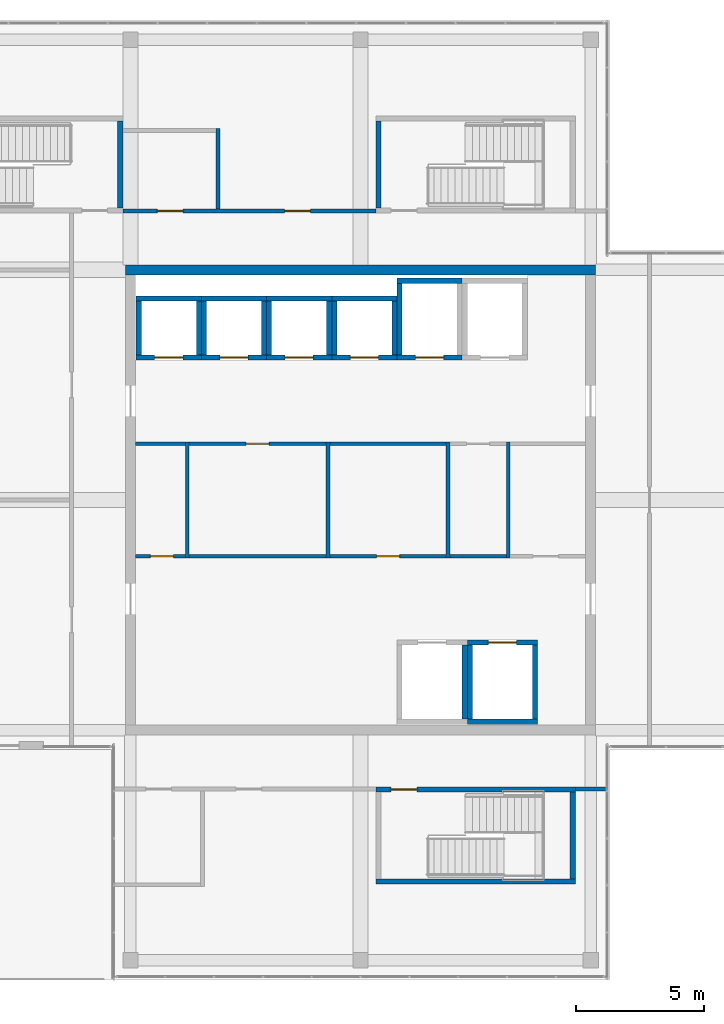
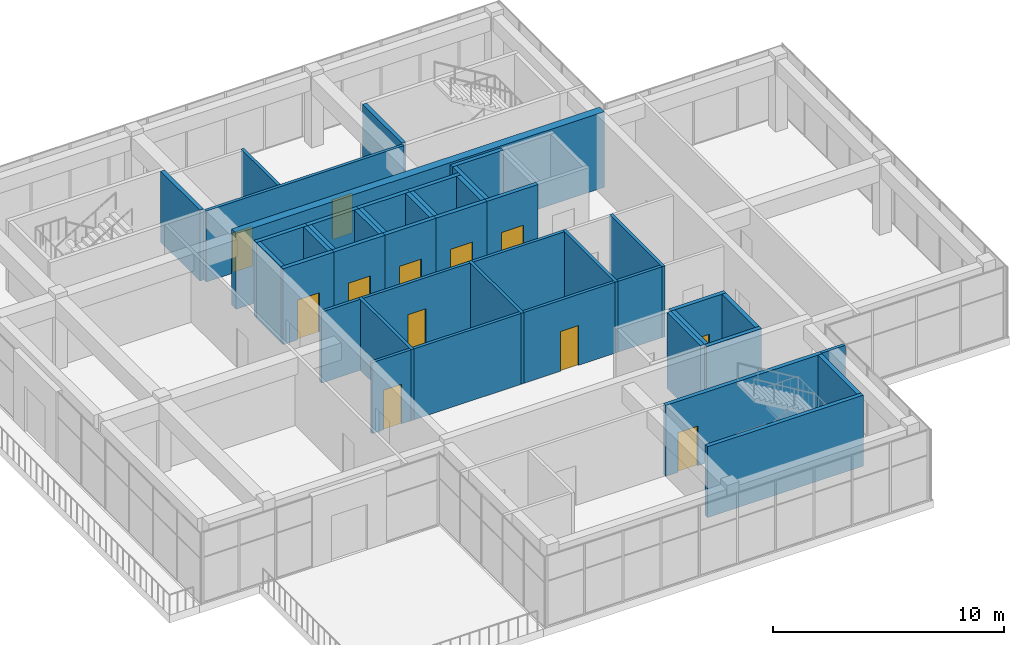
# One storey, part 29 of 32: 44 walls, 12 doors, 12 openings.
"""IFC4 building model written with IfcOpenShell, lengths in metres."""

from ifc_helpers import new_model, si_unit, direction, frame, frame_2d, origin, place, context, subcontext, project, spatial, rectangle, extrude, material, layer, layer_set, type_object, element, fill, save


model = new_model("IFC4")

# Units and contexts
model_context = context("Model", 3, precision=1e-05, world=origin(), true_north=direction((0.0, 1.0)))
body_context = subcontext(model_context, "Body", "Model", "MODEL_VIEW")
ifc_project = project(units=[si_unit("LENGTHUNIT", "METRE"), si_unit("AREAUNIT", "SQUARE_METRE"), si_unit("VOLUMEUNIT", "CUBIC_METRE"), si_unit("PLANEANGLEUNIT", "RADIAN"), si_unit("MASSUNIT", "GRAM", prefix="KILO")], contexts=[model_context])

# Site, building, storey
site_placement = place(None, origin())
site = spatial("IfcSite", under=ifc_project, at=site_placement, CompositionType="ELEMENT")
building_placement = place(site_placement, origin())
building = spatial("IfcBuilding", under=site, at=building_placement, Name="Tuart Plaza Theatre", CompositionType="ELEMENT")
storey_placement = place(building_placement, frame((0.0, 0.0, 41.5)))
storey = spatial("IfcBuildingStorey", under=building, at=storey_placement, Name="L10", CompositionType="ELEMENT", Elevation=41.5)

# Wall
ifc_material_1 = material(Name="Masonry block", Category="masonry")
ifc_layer_1 = layer(ifc_material_1, 0.14990234375)
ifc_layer_set_1 = layer_set([ifc_layer_1], Name="PARTITION BLK150 MASONRYB FRL -/120/120")
wall_type_1 = type_object("IfcWallType", Name="PARTITION BLK150 MASONRYB FRL -/120/120", PredefinedType="PARTITIONING", material=ifc_layer_set_1)
wall_1_placement = place(storey_placement, frame((125.22509765625, 71.72509765625, 0.0), z_axis=(0.0, 0.0, 1.0), x_axis=(0.0, 1.0, 0.0)))
element("IfcWall", 1, at=wall_1_placement, inside=storey, type_object=wall_type_1, Name="P666", PredefinedType="PARTITIONING", context=body_context, shape_type="SweptSolid", body=[
    extrude(rectangle(XDim=4.5498046875, YDim=0.14990234375, at=frame_2d((2.27490234375, 0.0))), origin(), (0.0, 0.0, 1.0), 3.75),
])

# Wall, opening, door
wall_2_placement = place(storey_placement, frame((123.199951171875, 71.800048828125, 0.0), z_axis=(0.0, 0.0, 1.0), x_axis=(1.0, 0.0, 0.0)))
wall_2 = element("IfcWall", 2, at=wall_2_placement, inside=storey, type_object=wall_type_1, Name="P667", PredefinedType="PARTITIONING", context=body_context, shape_type="SweptSolid", body=[
    extrude(rectangle(XDim=1.949951171875, YDim=0.14990234375, at=frame_2d((0.97509765625, 0.0))), origin(), (0.0, 0.0, 1.0), 3.75),
])
opening_1_placement = place(wall_2_placement, frame((0.574951171875, 0.0, 0.0)))
opening_1 = element("IfcOpeningElement", 3, at=opening_1_placement, cuts=wall_2, Name="Opening L10-018", PredefinedType="OPENING", context=body_context, shape_type="SweptSolid", body=[
    extrude(rectangle(XDim=0.89990234375, YDim=2.10009765625, at=frame_2d((0.449951171875, 1.050048828125))), frame((0.0, 0.0849609375, 0.0), z_axis=(0.0, -1.0, 0.0), x_axis=(1.0, 0.0, 0.0)), (0.0, 0.0, 1.0), 0.169921875),
])
ifc_material_2 = material(Name="Steel Grade 300", Category="steel")
door_type_1 = type_object("IfcDoorType", Name="DOOR 900x2100 steel single swing FRL -/120/30", OperationType="SINGLE_SWING_LEFT", PredefinedType="DOOR", material=ifc_material_2)
door_1_placement = place(opening_1_placement, origin())
door_1 = element("IfcDoor", 4, at=door_1_placement, inside=storey, type_object=door_type_1, Name="L10-018", OperationType="SINGLE_SWING_LEFT", OverallHeight=2.10009765625, OverallWidth=0.89990234375, PredefinedType="DOOR", context=body_context, shape_type="SweptSolid", body=[
    extrude(rectangle(XDim=0.89990234375, YDim=2.10009765625, at=frame_2d((0.449951171875, 1.050048828125))), frame((0.0, 0.02490234375, 0.0), z_axis=(0.0, -1.0, 0.0), x_axis=(1.0, 0.0, 0.0)), (0.0, 0.0, 1.0), 0.050048828125),
])
fill(opening_1, door_1)

# Walls
wall_3_placement = place(storey_placement, frame((123.199951171875, 76.199951171875, 0.0), z_axis=(0.0, 0.0, 1.0), x_axis=(1.0, 0.0, 0.0)))
element("IfcWall", 5, at=wall_3_placement, inside=storey, type_object=wall_type_1, Name="P668", PredefinedType="PARTITIONING", context=body_context, shape_type="SweptSolid", body=[
    extrude(rectangle(XDim=1.949951171875, YDim=0.14990234375, at=frame_2d((0.97509765625, 0.0))), origin(), (0.0, 0.0, 1.0), 3.75),
])
wall_4_placement = place(storey_placement, frame((130.72509765625, 71.72509765625, 0.0), z_axis=(0.0, 0.0, 1.0), x_axis=(0.0, 1.0, 0.0)))
element("IfcWall", 6, at=wall_4_placement, inside=storey, type_object=wall_type_1, Name="P669", PredefinedType="PARTITIONING", context=body_context, shape_type="SweptSolid", body=[
    extrude(rectangle(XDim=4.5498046875, YDim=0.14990234375, at=frame_2d((2.27490234375, 0.0))), origin(), (0.0, 0.0, 1.0), 3.75),
])
wall_5_placement = place(storey_placement, frame((125.300048828125, 71.800048828125, 0.0), z_axis=(0.0, 0.0, 1.0), x_axis=(1.0, 0.0, 0.0)))
element("IfcWall", 7, at=wall_5_placement, inside=storey, type_object=wall_type_1, Name="P670", PredefinedType="PARTITIONING", context=body_context, shape_type="SweptSolid", body=[
    extrude(rectangle(XDim=5.349853515625, YDim=0.14990234375, at=frame_2d((2.6748046875, 0.0))), origin(), (0.0, 0.0, 1.0), 3.75),
])

# Wall, opening, door
wall_6_placement = place(storey_placement, frame((125.300048828125, 76.199951171875, 0.0), z_axis=(0.0, 0.0, 1.0), x_axis=(1.0, 0.0, 0.0)))
wall_6 = element("IfcWall", 8, at=wall_6_placement, inside=storey, type_object=wall_type_1, Name="P671", PredefinedType="PARTITIONING", context=body_context, shape_type="SweptSolid", body=[
    extrude(rectangle(XDim=5.349853515625, YDim=0.14990234375, at=frame_2d((2.6748046875, 0.0))), origin(), (0.0, 0.0, 1.0), 3.75),
])
opening_2_placement = place(wall_6_placement, frame((2.22509765625, 0.0, 0.0)))
opening_2 = element("IfcOpeningElement", 9, at=opening_2_placement, cuts=wall_6, Name="Opening L10-019", PredefinedType="OPENING", context=body_context, shape_type="SweptSolid", body=[
    extrude(rectangle(XDim=0.89990234375, YDim=2.10009765625, at=frame_2d((0.449951171875, 1.050048828125))), frame((0.0, 0.0849609375, 0.0), z_axis=(0.0, -1.0, 0.0), x_axis=(1.0, 0.0, 0.0)), (0.0, 0.0, 1.0), 0.169921875),
])
door_2_placement = place(opening_2_placement, frame((0.89990234375, 0.0, 0.0), z_axis=(0.0, 0.0, 1.0), x_axis=(-1.0, 0.0, 0.0)))
door_2 = element("IfcDoor", 10, at=door_2_placement, inside=storey, type_object=door_type_1, Name="L10-019", OperationType="SINGLE_SWING_LEFT", OverallHeight=2.10009765625, OverallWidth=0.89990234375, PredefinedType="DOOR", context=body_context, shape_type="SweptSolid", body=[
    extrude(rectangle(XDim=0.89990234375, YDim=2.10009765625, at=frame_2d((0.449951171875, 1.050048828125))), frame((0.0, 0.02490234375, 0.0), z_axis=(0.0, -1.0, 0.0), x_axis=(1.0, 0.0, 0.0)), (0.0, 0.0, 1.0), 0.050048828125),
])
fill(opening_2, door_2)

# Wall
wall_7_placement = place(storey_placement, frame((135.425048828125, 71.72509765625, 0.0), z_axis=(0.0, 0.0, 1.0), x_axis=(0.0, 1.0, 0.0)))
element("IfcWall", 11, at=wall_7_placement, inside=storey, type_object=wall_type_1, Name="P672", PredefinedType="PARTITIONING", context=body_context, shape_type="SweptSolid", body=[
    extrude(rectangle(XDim=4.5498046875, YDim=0.14990234375, at=frame_2d((2.27490234375, 0.0))), origin(), (0.0, 0.0, 1.0), 3.75),
])

# Wall, opening, door
wall_8_placement = place(storey_placement, frame((130.800048828125, 71.800048828125, 0.0), z_axis=(0.0, 0.0, 1.0), x_axis=(1.0, 0.0, 0.0)))
wall_8 = element("IfcWall", 12, at=wall_8_placement, inside=storey, type_object=wall_type_1, Name="P673", PredefinedType="PARTITIONING", context=body_context, shape_type="SweptSolid", body=[
    extrude(rectangle(XDim=4.550048828125, YDim=0.14990234375, at=frame_2d((2.27490234375, 0.0))), origin(), (0.0, 0.0, 1.0), 3.75),
])
opening_3_placement = place(wall_8_placement, frame((1.824951171875, 0.0, 0.0)))
opening_3 = element("IfcOpeningElement", 13, at=opening_3_placement, cuts=wall_8, Name="Opening L10-020", PredefinedType="OPENING", context=body_context, shape_type="SweptSolid", body=[
    extrude(rectangle(XDim=0.89990234375, YDim=2.10009765625, at=frame_2d((0.449951171875, 1.050048828125))), frame((0.0, 0.0849609375, 0.0), z_axis=(0.0, -1.0, 0.0), x_axis=(1.0, 0.0, 0.0)), (0.0, 0.0, 1.0), 0.169921875),
])
door_3_placement = place(opening_3_placement, origin())
door_3 = element("IfcDoor", 14, at=door_3_placement, inside=storey, type_object=door_type_1, Name="L10-020", OperationType="SINGLE_SWING_LEFT", OverallHeight=2.10009765625, OverallWidth=0.89990234375, PredefinedType="DOOR", context=body_context, shape_type="SweptSolid", body=[
    extrude(rectangle(XDim=0.89990234375, YDim=2.10009765625, at=frame_2d((0.449951171875, 1.050048828125))), frame((0.0, 0.02490234375, 0.0), z_axis=(0.0, -1.0, 0.0), x_axis=(1.0, 0.0, 0.0)), (0.0, 0.0, 1.0), 0.050048828125),
])
fill(opening_3, door_3)

# Walls
wall_9_placement = place(storey_placement, frame((130.800048828125, 76.199951171875, 0.0), z_axis=(0.0, 0.0, 1.0), x_axis=(1.0, 0.0, 0.0)))
element("IfcWall", 15, at=wall_9_placement, inside=storey, type_object=wall_type_1, Name="P674", PredefinedType="PARTITIONING", context=body_context, shape_type="SweptSolid", body=[
    extrude(rectangle(XDim=4.550048828125, YDim=0.14990234375, at=frame_2d((2.27490234375, 0.0))), origin(), (0.0, 0.0, 1.0), 3.75),
])
wall_10_placement = place(storey_placement, frame((137.77490234375, 71.72509765625, 0.0), z_axis=(0.0, 0.0, 1.0), x_axis=(0.0, 1.0, 0.0)))
element("IfcWall", 16, at=wall_10_placement, inside=storey, type_object=wall_type_1, Name="P675", PredefinedType="PARTITIONING", context=body_context, shape_type="SweptSolid", body=[
    extrude(rectangle(XDim=4.5498046875, YDim=0.14990234375, at=frame_2d((2.27490234375, 0.0))), origin(), (0.0, 0.0, 1.0), 3.75),
])
wall_11_placement = place(storey_placement, frame((135.5, 71.800048828125, 0.0), z_axis=(0.0, 0.0, 1.0), x_axis=(1.0, 0.0, 0.0)))
element("IfcWall", 17, at=wall_11_placement, inside=storey, type_object=wall_type_1, Name="P676", PredefinedType="PARTITIONING", context=body_context, shape_type="SweptSolid", body=[
    extrude(rectangle(XDim=2.199951171875, YDim=0.14990234375, at=frame_2d((1.10009765625, 0.0))), origin(), (0.0, 0.0, 1.0), 3.75),
])
ifc_material_3 = material(Name="Masonry block", Category="masonry")
ifc_layer_2 = layer(ifc_material_3, 0.14990234375)
ifc_layer_set_2 = layer_set([ifc_layer_2], Name="PARTITION BLK150 MASONRYB FRL 120/-/-")
wall_type_2 = type_object("IfcWallType", Name="PARTITION BLK150 MASONRYB FRL 120/-/-", PredefinedType="PARTITIONING", material=ifc_layer_set_2)
wall_12_placement = place(storey_placement, frame((141.60009765625, 62.699951171875, 0.0), z_axis=(0.0, 0.0, 1.0), x_axis=(-1.0, 0.0, 0.0)))
element("IfcWall", 18, at=wall_12_placement, inside=storey, type_object=wall_type_2, Name="P681", PredefinedType="PARTITIONING", context=body_context, shape_type="SweptSolid", body=[
    extrude(rectangle(XDim=1.2001953125, YDim=0.14990234375, at=frame_2d((0.60009765625, 0.0))), origin(), (0.0, 0.0, 1.0), 3.75),
])

# Wall, openings, doors
wall_13_placement = place(storey_placement, frame((122.699951171875, 85.300048828125, 0.0), z_axis=(0.0, 0.0, 1.0), x_axis=(1.0, 0.0, 0.0)))
wall_13 = element("IfcWall", 19, at=wall_13_placement, inside=storey, type_object=wall_type_2, Name="P684", PredefinedType="PARTITIONING", context=body_context, shape_type="SweptSolid", body=[
    extrude(rectangle(XDim=9.900146484375, YDim=0.14990234375, at=frame_2d((4.9501953125, 0.0))), origin(), (0.0, 0.0, 1.0), 3.75),
])
opening_4_placement = place(wall_13_placement, frame((1.35009765625, 0.0, 0.0)))
opening_4 = element("IfcOpeningElement", 20, at=opening_4_placement, cuts=wall_13, Name="Opening L10-024", PredefinedType="OPENING", context=body_context, shape_type="SweptSolid", body=[
    extrude(rectangle(XDim=1.0, YDim=2.10009765625, at=frame_2d((0.5, 1.050048828125))), frame((0.0, 0.0849609375, 0.0), z_axis=(0.0, -1.0, 0.0), x_axis=(1.0, 0.0, 0.0)), (0.0, 0.0, 1.0), 0.169921875),
])
opening_5_placement = place(wall_13_placement, frame((6.3349609375, 0.0, 0.0)))
opening_5 = element("IfcOpeningElement", 21, at=opening_5_placement, cuts=wall_13, Name="Opening L10-029", PredefinedType="OPENING", context=body_context, shape_type="SweptSolid", body=[
    extrude(rectangle(XDim=1.0, YDim=2.10009765625, at=frame_2d((0.5, 1.050048828125))), frame((0.0, 0.0849609375, 0.0), z_axis=(0.0, -1.0, 0.0), x_axis=(1.0, 0.0, 0.0)), (0.0, 0.0, 1.0), 0.169921875),
])
ifc_material_4 = material(Name="Timber", Category="wood")
door_type_2 = type_object("IfcDoorType", Name="DOOR 1000x2100 timber single swing FRL -/60/30", OperationType="SINGLE_SWING_LEFT", PredefinedType="DOOR", material=ifc_material_4)
door_4_placement = place(opening_4_placement, origin())
door_4 = element("IfcDoor", 22, at=door_4_placement, inside=storey, type_object=door_type_2, Name="L10-024", OperationType="SINGLE_SWING_LEFT", OverallHeight=2.10009765625, OverallWidth=1.0, PredefinedType="DOOR", context=body_context, shape_type="SweptSolid", body=[
    extrude(rectangle(XDim=1.0, YDim=2.10009765625, at=frame_2d((0.5, 1.050048828125))), frame((0.0, 0.02490234375, 0.0), z_axis=(0.0, -1.0, 0.0), x_axis=(1.0, 0.0, 0.0)), (0.0, 0.0, 1.0), 0.050048828125),
])
fill(opening_4, door_4)
door_5_placement = place(opening_5_placement, origin())
door_5 = element("IfcDoor", 23, at=door_5_placement, inside=storey, type_object=door_type_2, Name="L10-029", OperationType="SINGLE_SWING_LEFT", OverallHeight=2.10009765625, OverallWidth=1.0, PredefinedType="DOOR", context=body_context, shape_type="SweptSolid", body=[
    extrude(rectangle(XDim=1.0, YDim=2.10009765625, at=frame_2d((0.5, 1.050048828125))), frame((0.0, 0.02490234375, 0.0), z_axis=(0.0, -1.0, 0.0), x_axis=(1.0, 0.0, 0.0)), (0.0, 0.0, 1.0), 0.050048828125),
])
fill(opening_5, door_5)

# Wall
wall_14_placement = place(storey_placement, frame((126.425048828125, 85.375, 0.0), z_axis=(0.0, 0.0, 1.0), x_axis=(0.0, 1.0, 0.0)))
element("IfcWall", 24, at=wall_14_placement, inside=storey, type_object=wall_type_2, Name="P691", PredefinedType="PARTITIONING", context=body_context, shape_type="SweptSolid", body=[
    extrude(rectangle(XDim=3.14990234375, YDim=0.14990234375, at=frame_2d((1.574951171875, 0.0))), origin(), (0.0, 0.0, 1.0), 3.75),
])

# Wall, opening, door
ifc_material_5 = material(Name="Concrete N40 (40 MPa)", Category="concrete")
ifc_layer_3 = layer(ifc_material_5, 0.199951171875)
ifc_layer_set_3 = layer_set([ifc_layer_3], Name="SHEAR WALL RC200 FRL 120/120/120")
wall_type_3 = type_object("IfcWallType", Name="SHEAR WALL RC200 FRL 120/120/120", PredefinedType="SHEAR", material=ifc_layer_set_3)
wall_15_placement = place(storey_placement, frame((123.22509765625, 79.574951171875, 0.0), z_axis=(0.0, 0.0, 1.0), x_axis=(1.0, 0.0, 0.0)))
wall_15 = element("IfcWall", 25, at=wall_15_placement, inside=storey, type_object=wall_type_3, Name="W766", PredefinedType="SHEAR", context=body_context, shape_type="SweptSolid", body=[
    extrude(rectangle(XDim=2.5498046875, YDim=0.199951171875, at=frame_2d((1.27490234375, 0.0))), origin(), (0.0, 0.0, 1.0), 4.0),
])
opening_6_placement = place(wall_15_placement, frame((0.72509765625, 0.0, 0.0)))
opening_6 = element("IfcOpeningElement", 26, at=opening_6_placement, cuts=wall_15, Name="Opening L10-003", PredefinedType="OPENING", context=body_context, shape_type="SweptSolid", body=[
    extrude(rectangle(XDim=1.10009765625, YDim=2.10009765625, at=frame_2d((0.550048828125, 1.050048828125))), frame((0.0, 0.10986328125, 0.0), z_axis=(0.0, -1.0, 0.0), x_axis=(1.0, 0.0, 0.0)), (0.0, 0.0, 1.0), 0.219970703125),
])
ifc_material_6 = material(Name="Steel Grade 300", Category="steel")
door_type_3 = type_object("IfcDoorType", Name="LANDING DOOR 1100x2100 steel sliding FRL -/120/30", OperationType="SLIDING_TO_LEFT", PredefinedType="DOOR", material=ifc_material_6)
door_6_placement = place(opening_6_placement, origin())
door_6 = element("IfcDoor", 27, at=door_6_placement, inside=storey, type_object=door_type_3, Name="L10-003", OperationType="SLIDING_TO_LEFT", OverallHeight=2.10009765625, OverallWidth=1.10009765625, PredefinedType="DOOR", context=body_context, shape_type="SweptSolid", body=[
    extrude(rectangle(XDim=1.10009765625, YDim=2.10009765625, at=frame_2d((0.550048828125, 1.050048828125))), frame((0.0, 0.02490234375, 0.0), z_axis=(0.0, -1.0, 0.0), x_axis=(1.0, 0.0, 0.0)), (0.0, 0.0, 1.0), 0.050048828125),
])
fill(opening_6, door_6)

# Walls
wall_16_placement = place(storey_placement, frame((125.675048828125, 79.675048828125, 0.0), z_axis=(0.0, 0.0, 1.0), x_axis=(0.0, 1.0, 0.0)))
element("IfcWall", 28, at=wall_16_placement, inside=storey, type_object=wall_type_3, Name="W767", PredefinedType="SHEAR", context=body_context, shape_type="SweptSolid", body=[
    extrude(rectangle(XDim=2.099853515625, YDim=0.199951171875, at=frame_2d((1.0498046875, 0.0))), origin(), (0.0, 0.0, 1.0), 4.0),
])
wall_17_placement = place(storey_placement, frame((125.77490234375, 81.875, 0.0), z_axis=(0.0, 0.0, 1.0), x_axis=(-1.0, 0.0, 0.0)))
element("IfcWall", 29, at=wall_17_placement, inside=storey, type_object=wall_type_3, Name="W768", PredefinedType="SHEAR", context=body_context, shape_type="SweptSolid", body=[
    extrude(rectangle(XDim=2.5498046875, YDim=0.199951171875, at=frame_2d((1.27490234375, 0.0))), origin(), (0.0, 0.0, 1.0), 4.0),
])
wall_18_placement = place(storey_placement, frame((123.324951171875, 81.77490234375, 0.0), z_axis=(0.0, 0.0, 1.0), x_axis=(0.0, -1.0, 0.0)))
element("IfcWall", 30, at=wall_18_placement, inside=storey, type_object=wall_type_3, Name="W769", PredefinedType="SHEAR", context=body_context, shape_type="SweptSolid", body=[
    extrude(rectangle(XDim=2.099853515625, YDim=0.199951171875, at=frame_2d((1.0498046875, 0.0))), origin(), (0.0, 0.0, 1.0), 4.0),
])

# Wall, opening, door
wall_19_placement = place(storey_placement, frame((125.77490234375, 79.574951171875, 0.0), z_axis=(0.0, 0.0, 1.0), x_axis=(1.0, 0.0, 0.0)))
wall_19 = element("IfcWall", 31, at=wall_19_placement, inside=storey, type_object=wall_type_3, Name="W838", PredefinedType="SHEAR", context=body_context, shape_type="SweptSolid", body=[
    extrude(rectangle(XDim=2.550048828125, YDim=0.199951171875, at=frame_2d((1.27490234375, 0.0))), origin(), (0.0, 0.0, 1.0), 4.0),
])
opening_7_placement = place(wall_19_placement, frame((0.72509765625, 0.0, 0.0)))
opening_7 = element("IfcOpeningElement", 32, at=opening_7_placement, cuts=wall_19, Name="Opening L10-004", PredefinedType="OPENING", context=body_context, shape_type="SweptSolid", body=[
    extrude(rectangle(XDim=1.10009765625, YDim=2.10009765625, at=frame_2d((0.550048828125, 1.050048828125))), frame((0.0, 0.10986328125, 0.0), z_axis=(0.0, -1.0, 0.0), x_axis=(1.0, 0.0, 0.0)), (0.0, 0.0, 1.0), 0.219970703125),
])
door_7_placement = place(opening_7_placement, origin())
door_7 = element("IfcDoor", 33, at=door_7_placement, inside=storey, type_object=door_type_3, Name="L10-004", OperationType="SLIDING_TO_LEFT", OverallHeight=2.10009765625, OverallWidth=1.10009765625, PredefinedType="DOOR", context=body_context, shape_type="SweptSolid", body=[
    extrude(rectangle(XDim=1.10009765625, YDim=2.10009765625, at=frame_2d((0.550048828125, 1.050048828125))), frame((0.0, 0.02490234375, 0.0), z_axis=(0.0, -1.0, 0.0), x_axis=(1.0, 0.0, 0.0)), (0.0, 0.0, 1.0), 0.050048828125),
])
fill(opening_7, door_7)

# Walls
wall_20_placement = place(storey_placement, frame((128.22509765625, 79.675048828125, 0.0), z_axis=(0.0, 0.0, 1.0), x_axis=(0.0, 1.0, 0.0)))
element("IfcWall", 34, at=wall_20_placement, inside=storey, type_object=wall_type_3, Name="W839", PredefinedType="SHEAR", context=body_context, shape_type="SweptSolid", body=[
    extrude(rectangle(XDim=2.099853515625, YDim=0.199951171875, at=frame_2d((1.0498046875, 0.0))), origin(), (0.0, 0.0, 1.0), 4.0),
])
wall_21_placement = place(storey_placement, frame((128.324951171875, 81.875, 0.0), z_axis=(0.0, 0.0, 1.0), x_axis=(-1.0, 0.0, 0.0)))
element("IfcWall", 35, at=wall_21_placement, inside=storey, type_object=wall_type_3, Name="W840", PredefinedType="SHEAR", context=body_context, shape_type="SweptSolid", body=[
    extrude(rectangle(XDim=2.550048828125, YDim=0.199951171875, at=frame_2d((1.27490234375, 0.0))), origin(), (0.0, 0.0, 1.0), 4.0),
])
wall_22_placement = place(storey_placement, frame((125.875, 81.77490234375, 0.0), z_axis=(0.0, 0.0, 1.0), x_axis=(0.0, -1.0, 0.0)))
element("IfcWall", 36, at=wall_22_placement, inside=storey, type_object=wall_type_3, Name="W841", PredefinedType="SHEAR", context=body_context, shape_type="SweptSolid", body=[
    extrude(rectangle(XDim=2.099853515625, YDim=0.199951171875, at=frame_2d((1.0498046875, 0.0))), origin(), (0.0, 0.0, 1.0), 4.0),
])

# Wall, opening, door
wall_23_placement = place(storey_placement, frame((128.324951171875, 79.574951171875, 0.0), z_axis=(0.0, 0.0, 1.0), x_axis=(1.0, 0.0, 0.0)))
wall_23 = element("IfcWall", 37, at=wall_23_placement, inside=storey, type_object=wall_type_3, Name="W910", PredefinedType="SHEAR", context=body_context, shape_type="SweptSolid", body=[
    extrude(rectangle(XDim=2.550048828125, YDim=0.199951171875, at=frame_2d((1.27490234375, 0.0))), origin(), (0.0, 0.0, 1.0), 4.0),
])
opening_8_placement = place(wall_23_placement, frame((0.72509765625, 0.0, 0.0)))
opening_8 = element("IfcOpeningElement", 38, at=opening_8_placement, cuts=wall_23, Name="Opening L10-005", PredefinedType="OPENING", context=body_context, shape_type="SweptSolid", body=[
    extrude(rectangle(XDim=1.10009765625, YDim=2.10009765625, at=frame_2d((0.550048828125, 1.050048828125))), frame((0.0, 0.10986328125, 0.0), z_axis=(0.0, -1.0, 0.0), x_axis=(1.0, 0.0, 0.0)), (0.0, 0.0, 1.0), 0.219970703125),
])
door_8_placement = place(opening_8_placement, origin())
door_8 = element("IfcDoor", 39, at=door_8_placement, inside=storey, type_object=door_type_3, Name="L10-005", OperationType="SLIDING_TO_LEFT", OverallHeight=2.10009765625, OverallWidth=1.10009765625, PredefinedType="DOOR", context=body_context, shape_type="SweptSolid", body=[
    extrude(rectangle(XDim=1.10009765625, YDim=2.10009765625, at=frame_2d((0.550048828125, 1.050048828125))), frame((0.0, 0.02490234375, 0.0), z_axis=(0.0, -1.0, 0.0), x_axis=(1.0, 0.0, 0.0)), (0.0, 0.0, 1.0), 0.050048828125),
])
fill(opening_8, door_8)

# Walls
wall_24_placement = place(storey_placement, frame((130.77490234375, 79.675048828125, 0.0), z_axis=(0.0, 0.0, 1.0), x_axis=(0.0, 1.0, 0.0)))
element("IfcWall", 40, at=wall_24_placement, inside=storey, type_object=wall_type_3, Name="W911", PredefinedType="SHEAR", context=body_context, shape_type="SweptSolid", body=[
    extrude(rectangle(XDim=2.099853515625, YDim=0.199951171875, at=frame_2d((1.0498046875, 0.0))), origin(), (0.0, 0.0, 1.0), 4.0),
])
wall_25_placement = place(storey_placement, frame((130.875, 81.875, 0.0), z_axis=(0.0, 0.0, 1.0), x_axis=(-1.0, 0.0, 0.0)))
element("IfcWall", 41, at=wall_25_placement, inside=storey, type_object=wall_type_3, Name="W912", PredefinedType="SHEAR", context=body_context, shape_type="SweptSolid", body=[
    extrude(rectangle(XDim=2.550048828125, YDim=0.199951171875, at=frame_2d((1.27490234375, 0.0))), origin(), (0.0, 0.0, 1.0), 4.0),
])
wall_26_placement = place(storey_placement, frame((128.425048828125, 81.77490234375, 0.0), z_axis=(0.0, 0.0, 1.0), x_axis=(0.0, -1.0, 0.0)))
element("IfcWall", 42, at=wall_26_placement, inside=storey, type_object=wall_type_3, Name="W913", PredefinedType="SHEAR", context=body_context, shape_type="SweptSolid", body=[
    extrude(rectangle(XDim=2.099853515625, YDim=0.199951171875, at=frame_2d((1.0498046875, 0.0))), origin(), (0.0, 0.0, 1.0), 4.0),
])

# Wall, opening, door
wall_27_placement = place(storey_placement, frame((130.875, 79.574951171875, 0.0), z_axis=(0.0, 0.0, 1.0), x_axis=(1.0, 0.0, 0.0)))
wall_27 = element("IfcWall", 43, at=wall_27_placement, inside=storey, type_object=wall_type_3, Name="W982", PredefinedType="SHEAR", context=body_context, shape_type="SweptSolid", body=[
    extrude(rectangle(XDim=2.550048828125, YDim=0.199951171875, at=frame_2d((1.27490234375, 0.0))), origin(), (0.0, 0.0, 1.0), 4.0),
])
opening_9_placement = place(wall_27_placement, frame((0.72509765625, 0.0, 0.0)))
opening_9 = element("IfcOpeningElement", 44, at=opening_9_placement, cuts=wall_27, Name="Opening L10-006", PredefinedType="OPENING", context=body_context, shape_type="SweptSolid", body=[
    extrude(rectangle(XDim=1.10009765625, YDim=2.10009765625, at=frame_2d((0.550048828125, 1.050048828125))), frame((0.0, 0.10986328125, 0.0), z_axis=(0.0, -1.0, 0.0), x_axis=(1.0, 0.0, 0.0)), (0.0, 0.0, 1.0), 0.219970703125),
])
door_9_placement = place(opening_9_placement, origin())
door_9 = element("IfcDoor", 45, at=door_9_placement, inside=storey, type_object=door_type_3, Name="L10-006", OperationType="SLIDING_TO_LEFT", OverallHeight=2.10009765625, OverallWidth=1.10009765625, PredefinedType="DOOR", context=body_context, shape_type="SweptSolid", body=[
    extrude(rectangle(XDim=1.10009765625, YDim=2.10009765625, at=frame_2d((0.550048828125, 1.050048828125))), frame((0.0, 0.02490234375, 0.0), z_axis=(0.0, -1.0, 0.0), x_axis=(1.0, 0.0, 0.0)), (0.0, 0.0, 1.0), 0.050048828125),
])
fill(opening_9, door_9)

# Walls
wall_28_placement = place(storey_placement, frame((133.324951171875, 79.675048828125, 0.0), z_axis=(0.0, 0.0, 1.0), x_axis=(0.0, 1.0, 0.0)))
element("IfcWall", 46, at=wall_28_placement, inside=storey, type_object=wall_type_3, Name="W983", PredefinedType="SHEAR", context=body_context, shape_type="SweptSolid", body=[
    extrude(rectangle(XDim=2.099853515625, YDim=0.199951171875, at=frame_2d((1.0498046875, 0.0))), origin(), (0.0, 0.0, 1.0), 4.0),
])
wall_29_placement = place(storey_placement, frame((133.425048828125, 81.875, 0.0), z_axis=(0.0, 0.0, 1.0), x_axis=(-1.0, 0.0, 0.0)))
element("IfcWall", 47, at=wall_29_placement, inside=storey, type_object=wall_type_3, Name="W984", PredefinedType="SHEAR", context=body_context, shape_type="SweptSolid", body=[
    extrude(rectangle(XDim=2.550048828125, YDim=0.199951171875, at=frame_2d((1.27490234375, 0.0))), origin(), (0.0, 0.0, 1.0), 4.0),
])
wall_30_placement = place(storey_placement, frame((130.97509765625, 81.77490234375, 0.0), z_axis=(0.0, 0.0, 1.0), x_axis=(0.0, -1.0, 0.0)))
element("IfcWall", 48, at=wall_30_placement, inside=storey, type_object=wall_type_3, Name="W985", PredefinedType="SHEAR", context=body_context, shape_type="SweptSolid", body=[
    extrude(rectangle(XDim=2.099853515625, YDim=0.199951171875, at=frame_2d((1.0498046875, 0.0))), origin(), (0.0, 0.0, 1.0), 4.0),
])
wall_31_placement = place(storey_placement, frame((136.074951171875, 65.425048828125, 0.0), z_axis=(0.0, 0.0, 1.0), x_axis=(0.0, 1.0, 0.0)))
element("IfcWall", 49, at=wall_31_placement, inside=storey, type_object=wall_type_3, Name="W1055", PredefinedType="SHEAR", context=body_context, shape_type="SweptSolid", body=[
    extrude(rectangle(XDim=2.89990234375, YDim=0.199951171875, at=frame_2d((1.449951171875, 0.0))), origin(), (0.0, 0.0, 1.0), 4.0),
])
wall_32_placement = place(storey_placement, frame((136.175048828125, 65.324951171875, 0.0), z_axis=(0.0, 0.0, 1.0), x_axis=(1.0, 0.0, 0.0)))
element("IfcWall", 50, at=wall_32_placement, inside=storey, type_object=wall_type_3, Name="W1130", PredefinedType="SHEAR", context=body_context, shape_type="SweptSolid", body=[
    extrude(rectangle(XDim=2.75, YDim=0.199951171875, at=frame_2d((1.375, 0.0))), origin(), (0.0, 0.0, 1.0), 4.0),
])
wall_33_placement = place(storey_placement, frame((138.824951171875, 65.425048828125, 0.0), z_axis=(0.0, 0.0, 1.0), x_axis=(0.0, 1.0, 0.0)))
element("IfcWall", 51, at=wall_33_placement, inside=storey, type_object=wall_type_3, Name="W1131", PredefinedType="SHEAR", context=body_context, shape_type="SweptSolid", body=[
    extrude(rectangle(XDim=2.89990234375, YDim=0.199951171875, at=frame_2d((1.449951171875, 0.0))), origin(), (0.0, 0.0, 1.0), 4.0),
])

# Wall, opening, door
wall_34_placement = place(storey_placement, frame((138.925048828125, 68.425048828125, 0.0), z_axis=(0.0, 0.0, 1.0), x_axis=(-1.0, 0.0, 0.0)))
wall_34 = element("IfcWall", 52, at=wall_34_placement, inside=storey, type_object=wall_type_3, Name="W1132", PredefinedType="SHEAR", context=body_context, shape_type="SweptSolid", body=[
    extrude(rectangle(XDim=2.75, YDim=0.199951171875, at=frame_2d((1.375, 0.0))), origin(), (0.0, 0.0, 1.0), 4.0),
])
opening_10_placement = place(wall_34_placement, frame((0.824951171875, 0.0, 0.0)))
opening_10 = element("IfcOpeningElement", 53, at=opening_10_placement, cuts=wall_34, Name="Opening L10-008", PredefinedType="OPENING", context=body_context, shape_type="SweptSolid", body=[
    extrude(rectangle(XDim=1.10009765625, YDim=2.10009765625, at=frame_2d((0.550048828125, 1.050048828125))), frame((0.0, 0.10986328125, 0.0), z_axis=(0.0, -1.0, 0.0), x_axis=(1.0, 0.0, 0.0)), (0.0, 0.0, 1.0), 0.219970703125),
])
door_10_placement = place(opening_10_placement, origin())
door_10 = element("IfcDoor", 54, at=door_10_placement, inside=storey, type_object=door_type_3, Name="L10-008", OperationType="SLIDING_TO_LEFT", OverallHeight=2.10009765625, OverallWidth=1.10009765625, PredefinedType="DOOR", context=body_context, shape_type="SweptSolid", body=[
    extrude(rectangle(XDim=1.10009765625, YDim=2.10009765625, at=frame_2d((0.550048828125, 1.050048828125))), frame((0.0, 0.02490234375, 0.0), z_axis=(0.0, -1.0, 0.0), x_axis=(1.0, 0.0, 0.0)), (0.0, 0.0, 1.0), 0.050048828125),
])
fill(opening_10, door_10)

# Wall
wall_35_placement = place(storey_placement, frame((136.27490234375, 68.324951171875, 0.0), z_axis=(0.0, 0.0, 1.0), x_axis=(0.0, -1.0, 0.0)))
element("IfcWall", 55, at=wall_35_placement, inside=storey, type_object=wall_type_3, Name="W1133", PredefinedType="SHEAR", context=body_context, shape_type="SweptSolid", body=[
    extrude(rectangle(XDim=2.89990234375, YDim=0.199951171875, at=frame_2d((1.449951171875, 0.0))), origin(), (0.0, 0.0, 1.0), 4.0),
])

# Wall, opening, door
wall_36_placement = place(storey_placement, frame((133.425048828125, 79.574951171875, 0.0), z_axis=(0.0, 0.0, 1.0), x_axis=(1.0, 0.0, 0.0)))
wall_36 = element("IfcWall", 56, at=wall_36_placement, inside=storey, type_object=wall_type_3, Name="W1206", PredefinedType="SHEAR", context=body_context, shape_type="SweptSolid", body=[
    extrude(rectangle(XDim=2.550048828125, YDim=0.199951171875, at=frame_2d((1.27490234375, 0.0))), origin(), (0.0, 0.0, 1.0), 4.0),
])
opening_11_placement = place(wall_36_placement, frame((0.72509765625, 0.0, 0.0)))
opening_11 = element("IfcOpeningElement", 57, at=opening_11_placement, cuts=wall_36, Name="Opening L10-009", PredefinedType="OPENING", context=body_context, shape_type="SweptSolid", body=[
    extrude(rectangle(XDim=1.10009765625, YDim=2.10009765625, at=frame_2d((0.550048828125, 1.050048828125))), frame((0.0, 0.10986328125, 0.0), z_axis=(0.0, -1.0, 0.0), x_axis=(1.0, 0.0, 0.0)), (0.0, 0.0, 1.0), 0.219970703125),
])
door_11_placement = place(opening_11_placement, origin())
door_11 = element("IfcDoor", 58, at=door_11_placement, inside=storey, type_object=door_type_3, Name="L10-009", OperationType="SLIDING_TO_LEFT", OverallHeight=2.10009765625, OverallWidth=1.10009765625, PredefinedType="DOOR", context=body_context, shape_type="SweptSolid", body=[
    extrude(rectangle(XDim=1.10009765625, YDim=2.10009765625, at=frame_2d((0.550048828125, 1.050048828125))), frame((0.0, 0.02490234375, 0.0), z_axis=(0.0, -1.0, 0.0), x_axis=(1.0, 0.0, 0.0)), (0.0, 0.0, 1.0), 0.050048828125),
])
fill(opening_11, door_11)

# Walls
wall_37_placement = place(storey_placement, frame((135.97509765625, 82.574951171875, 0.0), z_axis=(0.0, 0.0, 1.0), x_axis=(-1.0, 0.0, 0.0)))
element("IfcWall", 59, at=wall_37_placement, inside=storey, type_object=wall_type_3, Name="W1208", PredefinedType="SHEAR", context=body_context, shape_type="SweptSolid", body=[
    extrude(rectangle(XDim=2.550048828125, YDim=0.199951171875, at=frame_2d((1.27490234375, 0.0))), origin(), (0.0, 0.0, 1.0), 4.0),
])
wall_38_placement = place(storey_placement, frame((133.52490234375, 82.47509765625, 0.0), z_axis=(0.0, 0.0, 1.0), x_axis=(0.0, -1.0, 0.0)))
element("IfcWall", 60, at=wall_38_placement, inside=storey, type_object=wall_type_3, Name="W1209", PredefinedType="SHEAR", context=body_context, shape_type="SweptSolid", body=[
    extrude(rectangle(XDim=2.800048828125, YDim=0.199951171875, at=frame_2d((1.39990234375, 0.0))), origin(), (0.0, 0.0, 1.0), 4.0),
])
wall_39_placement = place(storey_placement, frame((132.60009765625, 59.074951171875, 0.0), z_axis=(0.0, 0.0, 1.0), x_axis=(1.0, 0.0, 0.0)))
element("IfcWall", 61, at=wall_39_placement, inside=storey, type_object=wall_type_3, Name="P408", PredefinedType="SHEAR", context=body_context, shape_type="SweptSolid", body=[
    extrude(rectangle(XDim=7.7998046875, YDim=0.199951171875, at=frame_2d((3.89990234375, 0.0))), origin(), (0.0, 0.0, 1.0), 3.75),
])
wall_40_placement = place(storey_placement, frame((140.300048828125, 59.175048828125, 0.0), z_axis=(0.0, 0.0, 1.0), x_axis=(0.0, 1.0, 0.0)))
element("IfcWall", 62, at=wall_40_placement, inside=storey, type_object=wall_type_3, Name="P409", PredefinedType="SHEAR", context=body_context, shape_type="SweptSolid", body=[
    extrude(rectangle(XDim=3.39990234375, YDim=0.199951171875, at=frame_2d((1.699951171875, 0.0))), origin(), (0.0, 0.0, 1.0), 3.75),
])

# Wall, opening, door
wall_41_placement = place(storey_placement, frame((140.39990234375, 62.675048828125, 0.0), z_axis=(0.0, 0.0, 1.0), x_axis=(-1.0, 0.0, 0.0)))
wall_41 = element("IfcWall", 63, at=wall_41_placement, inside=storey, type_object=wall_type_3, Name="P410", PredefinedType="SHEAR", context=body_context, shape_type="SweptSolid", body=[
    extrude(rectangle(XDim=7.7998046875, YDim=0.199951171875, at=frame_2d((3.89990234375, 0.0))), origin(), (0.0, 0.0, 1.0), 3.75),
])
opening_12_placement = place(wall_41_placement, frame((6.199951171875, 0.0, 0.0)))
opening_12 = element("IfcOpeningElement", 64, at=opening_12_placement, cuts=wall_41, Name="Opening L10-011", PredefinedType="OPENING", context=body_context, shape_type="SweptSolid", body=[
    extrude(rectangle(XDim=1.0, YDim=2.10009765625, at=frame_2d((0.5, 1.050048828125))), frame((0.0, 0.10986328125, 0.0), z_axis=(0.0, -1.0, 0.0), x_axis=(1.0, 0.0, 0.0)), (0.0, 0.0, 1.0), 0.219970703125),
])
ifc_material_7 = material(Name="Steel Grade 300", Category="steel")
door_type_4 = type_object("IfcDoorType", Name="DOOR 1000x2100 steel single swing FRL -/120/30", OperationType="SINGLE_SWING_LEFT", PredefinedType="DOOR", material=ifc_material_7)
door_12_placement = place(opening_12_placement, origin())
door_12 = element("IfcDoor", 65, at=door_12_placement, inside=storey, type_object=door_type_4, Name="L10-011", OperationType="SINGLE_SWING_LEFT", OverallHeight=2.10009765625, OverallWidth=1.0, PredefinedType="DOOR", context=body_context, shape_type="SweptSolid", body=[
    extrude(rectangle(XDim=1.0, YDim=2.10009765625, at=frame_2d((0.5, 1.050048828125))), frame((0.0, 0.02490234375, 0.0), z_axis=(0.0, -1.0, 0.0), x_axis=(1.0, 0.0, 0.0)), (0.0, 0.0, 1.0), 0.050048828125),
])
fill(opening_12, door_12)

# Walls
for number, where, z_axis, x_axis, name in (
    (66, (132.699951171875, 88.824951171875, 0.0), (0.0, 0.0, 1.0), (0.0, -1.0, 0.0), "P439"),
    (67, (122.60009765625, 85.425048828125, 0.0), (0.0, 0.0, 1.0), (0.0, 1.0, 0.0), "P465"),
):
    element("IfcWall", number, at=place(storey_placement, frame(where, z_axis=z_axis, x_axis=x_axis)), inside=storey, type_object=wall_type_3, Name=name, PredefinedType="SHEAR", context=body_context, shape_type="SweptSolid", body=[
        extrude(rectangle(XDim=3.39990234375, YDim=0.199951171875, at=frame_2d((1.699951171875, 0.0))), origin(), (0.0, 0.0, 1.0), 3.75),
    ])
ifc_material_8 = material(Name="Concrete N50 (50 MPa)", Category="concrete")
ifc_layer_4 = layer(ifc_material_8, 0.39990234375)
ifc_layer_set_4 = layer_set([ifc_layer_4], Name="SHEAR WALL RC400 N50 FRL 120/120/120")
wall_type_4 = type_object("IfcWallType", Name="SHEAR WALL RC400 N50 FRL 120/120/120", PredefinedType="SHEAR", material=ifc_layer_set_4)
wall_42_placement = place(storey_placement, frame((141.199951171875, 83.0, 0.0), z_axis=(0.0, 0.0, 1.0), x_axis=(-1.0, 0.0, 0.0)))
element("IfcWall", 68, at=wall_42_placement, inside=storey, type_object=wall_type_4, Name="W413", PredefinedType="SHEAR", context=body_context, shape_type="SweptSolid", body=[
    extrude(rectangle(XDim=18.39990234375, YDim=0.39990234375, at=frame_2d((9.199951171875, 0.0))), origin(), (0.0, 0.0, 1.0), 4.0),
])

save(model, "model.ifc")
